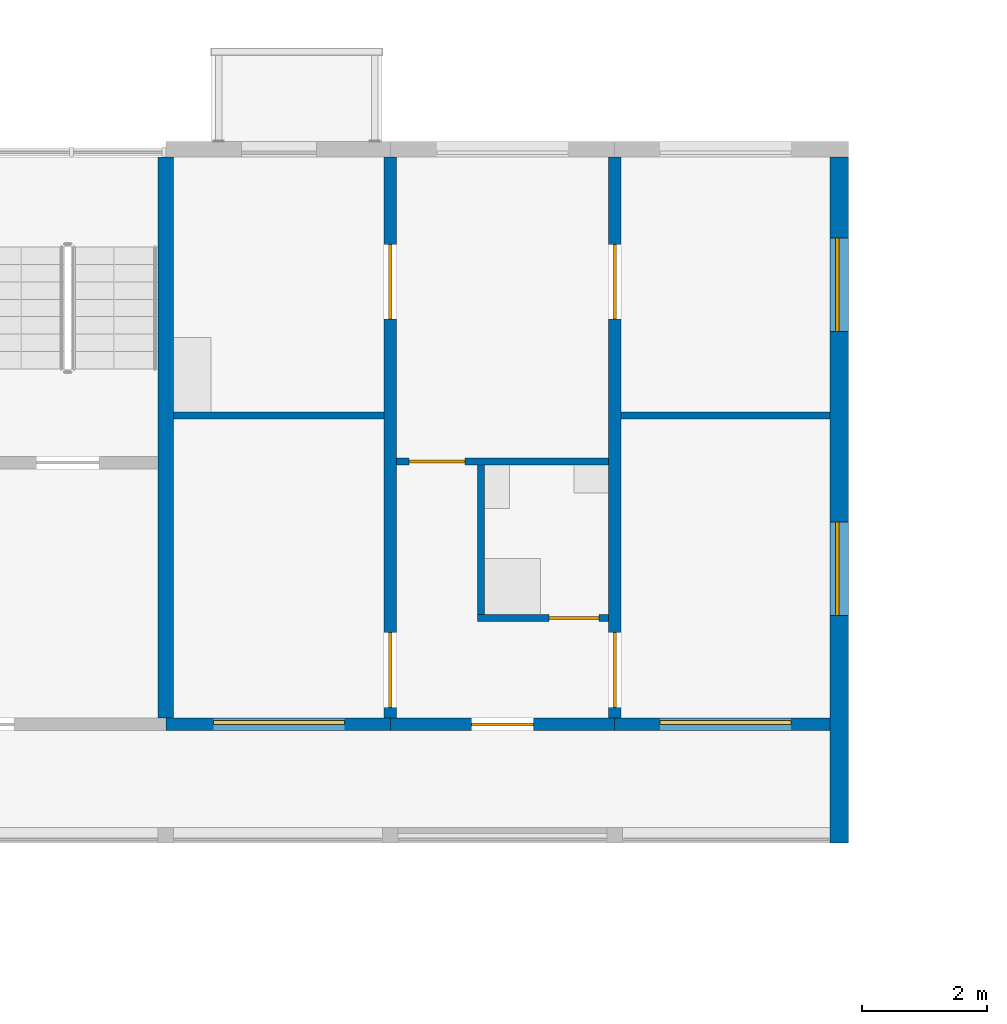
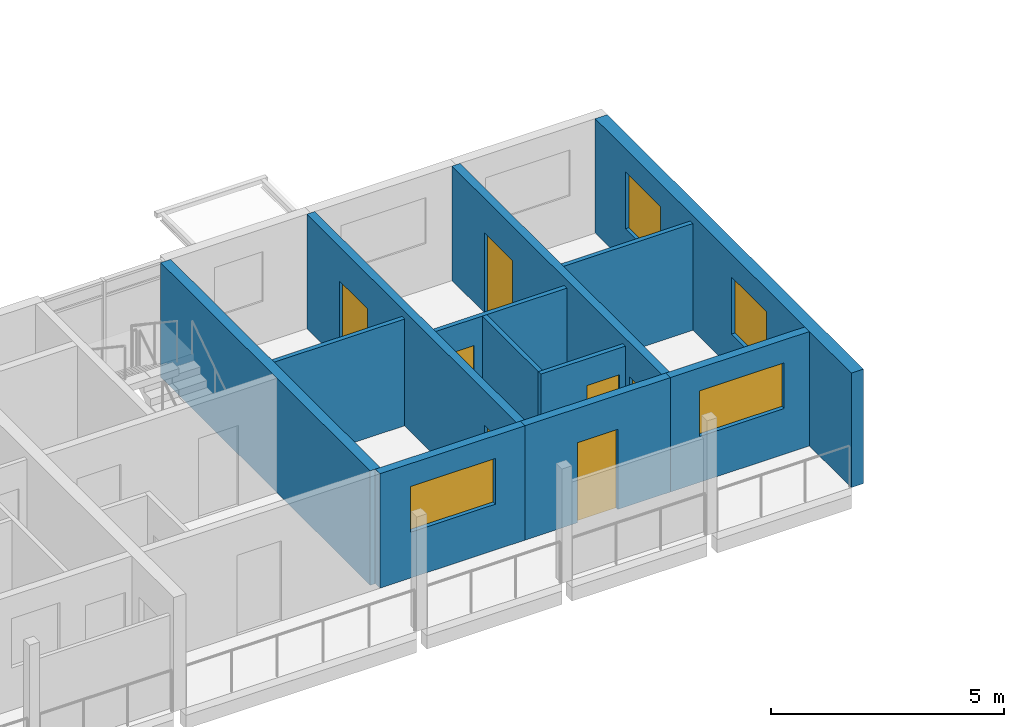
# One storey, part 43 of 98: 12 walls, 7 doors, 4 windows, 11 openings.
"""IFC4 building model written with IfcOpenShell, lengths in metres."""

from ifc_helpers import new_model, si_unit, direction, frame, frame_2d, origin, place, context, subcontext, project, spatial, rectangle, extrude, material, layer, layer_set, type_object, element, fill, save


model = new_model("IFC4")

# Units and contexts
model_context = context("Model", 3, precision=1e-05, world=origin(), true_north=direction((0.0, 1.0)))
body_context = subcontext(model_context, "Body", "Model", "MODEL_VIEW")
ifc_project = project(units=[si_unit("LENGTHUNIT", "METRE"), si_unit("AREAUNIT", "SQUARE_METRE"), si_unit("VOLUMEUNIT", "CUBIC_METRE"), si_unit("PLANEANGLEUNIT", "RADIAN"), si_unit("MASSUNIT", "GRAM", prefix="KILO")], contexts=[model_context])

# Site, building, storey
site_placement = place(None, origin())
site = spatial("IfcSite", under=ifc_project, at=site_placement, CompositionType="ELEMENT")
building_placement = place(site_placement, origin())
building = spatial("IfcBuilding", under=site, at=building_placement, Name="Ridgestep Commons", CompositionType="ELEMENT")
storey_placement = place(building_placement, frame((0.0, 0.0, 12.0)))
storey = spatial("IfcBuildingStorey", under=building, at=storey_placement, Name="L04", CompositionType="ELEMENT", Elevation=12.0)

# Wall
ifc_material_1 = material(Name="Concrete C30/37", Category="concrete")
ifc_layer_1 = layer(ifc_material_1, 0.25)
ifc_layer_set_1 = layer_set([ifc_layer_1], Name="Core cross wall 250")
wall_type_1 = type_object("IfcWallType", Name="Core cross wall 250", PredefinedType="SHEAR", material=ifc_layer_set_1)
wall_1_placement = place(storey_placement, frame((102.0, 68.0, 0.0), z_axis=(0.0, 0.0, 1.0), x_axis=(0.0, 1.0, 0.0)))
element("IfcWall", 1, at=wall_1_placement, inside=storey, type_object=wall_type_1, Name="Cross wall B-04-1020", PredefinedType="SHEAR", context=body_context, shape_type="SweptSolid", body=[
    extrude(rectangle(XDim=9.0, YDim=0.25, at=frame_2d((4.5, 0.0))), origin(), (0.0, 0.0, 1.0), 3.0),
])

# Wall, openings, doors
ifc_material_2 = material(Name="Precast concrete C40/50", Category="concrete")
ifc_layer_2 = layer(ifc_material_2, 0.199951171875)
ifc_layer_set_2 = layer_set([ifc_layer_2], Name="Cross wall 200")
wall_type_2 = type_object("IfcWallType", Name="Cross wall 200", PredefinedType="SHEAR", material=ifc_layer_set_2)
wall_2_placement = place(storey_placement, frame((105.60009765625, 68.0, 0.0), z_axis=(0.0, 0.0, 1.0), x_axis=(0.0, 1.0, 0.0)))
wall_2 = element("IfcWall", 2, at=wall_2_placement, inside=storey, type_object=wall_type_2, Name="Cross wall B-04-1056", PredefinedType="SHEAR", context=body_context, shape_type="SweptSolid", body=[
    extrude(rectangle(XDim=9.0, YDim=0.199951171875, at=frame_2d((4.5, 0.0))), origin(), (0.0, 0.0, 1.0), 3.0),
])
opening_1_placement = place(wall_2_placement, frame((0.175048828125, 0.0, 0.0)))
opening_1 = element("IfcOpeningElement", 3, at=opening_1_placement, cuts=wall_2, Name="Opening B6-04a/4", PredefinedType="OPENING", context=body_context, shape_type="SweptSolid", body=[
    extrude(rectangle(XDim=1.199951171875, YDim=2.10009765625, at=frame_2d((0.60009765625, 1.050048828125))), frame((0.0, 0.10986328125, 0.0), z_axis=(0.0, -1.0, 0.0), x_axis=(1.0, 0.0, 0.0)), (0.0, 0.0, 1.0), 0.219970703125),
])
opening_2_placement = place(wall_2_placement, frame((6.39990234375, 0.0, 0.0)))
opening_2 = element("IfcOpeningElement", 4, at=opening_2_placement, cuts=wall_2, Name="Opening B6-04a/5", PredefinedType="OPENING", context=body_context, shape_type="SweptSolid", body=[
    extrude(rectangle(XDim=1.199951171875, YDim=2.10009765625, at=frame_2d((0.60009765625, 1.050048828125))), frame((0.0, 0.10986328125, 0.0), z_axis=(0.0, -1.0, 0.0), x_axis=(1.0, 0.0, 0.0)), (0.0, 0.0, 1.0), 0.219970703125),
])
ifc_material_3 = material(Name="Timber door leaf", Category="wood")
door_type_1 = type_object("IfcDoorType", Name="Double door 1200 x 2100", OperationType="DOUBLE_DOOR_SINGLE_SWING", PredefinedType="DOOR", material=ifc_material_3)
door_1_placement = place(opening_1_placement, origin())
door_1 = element("IfcDoor", 5, at=door_1_placement, inside=storey, type_object=door_type_1, Name="Double door B6-04a/4", OperationType="DOUBLE_DOOR_SINGLE_SWING", OverallHeight=2.10009765625, OverallWidth=1.199951171875, PredefinedType="DOOR", context=body_context, shape_type="SweptSolid", body=[
    extrude(rectangle(XDim=1.199951171875, YDim=2.10009765625, at=frame_2d((0.60009765625, 1.050048828125))), frame((0.0, 0.02490234375, 0.0), z_axis=(0.0, -1.0, 0.0), x_axis=(1.0, 0.0, 0.0)), (0.0, 0.0, 1.0), 0.050048828125),
])
fill(opening_1, door_1)
door_2_placement = place(opening_2_placement, origin())
door_2 = element("IfcDoor", 6, at=door_2_placement, inside=storey, type_object=door_type_1, Name="Double door B6-04a/5", OperationType="DOUBLE_DOOR_SINGLE_SWING", OverallHeight=2.10009765625, OverallWidth=1.199951171875, PredefinedType="DOOR", context=body_context, shape_type="SweptSolid", body=[
    extrude(rectangle(XDim=1.199951171875, YDim=2.10009765625, at=frame_2d((0.60009765625, 1.050048828125))), frame((0.0, 0.02490234375, 0.0), z_axis=(0.0, -1.0, 0.0), x_axis=(1.0, 0.0, 0.0)), (0.0, 0.0, 1.0), 0.050048828125),
])
fill(opening_2, door_2)

wall_3_placement = place(storey_placement, frame((109.199951171875, 68.0, 0.0), z_axis=(0.0, 0.0, 1.0), x_axis=(0.0, 1.0, 0.0)))
wall_3 = element("IfcWall", 7, at=wall_3_placement, inside=storey, type_object=wall_type_2, Name="Cross wall B-04-1092", PredefinedType="SHEAR", context=body_context, shape_type="SweptSolid", body=[
    extrude(rectangle(XDim=9.0, YDim=0.199951171875, at=frame_2d((4.5, 0.0))), origin(), (0.0, 0.0, 1.0), 3.0),
])
opening_3_placement = place(wall_3_placement, frame((0.175048828125, 0.0, 0.0)))
opening_3 = element("IfcOpeningElement", 8, at=opening_3_placement, cuts=wall_3, Name="Opening B6-04a/6", PredefinedType="OPENING", context=body_context, shape_type="SweptSolid", body=[
    extrude(rectangle(XDim=1.199951171875, YDim=2.10009765625, at=frame_2d((0.60009765625, 1.050048828125))), frame((0.0, 0.10986328125, 0.0), z_axis=(0.0, -1.0, 0.0), x_axis=(1.0, 0.0, 0.0)), (0.0, 0.0, 1.0), 0.219970703125),
])
opening_4_placement = place(wall_3_placement, frame((6.39990234375, 0.0, 0.0)))
opening_4 = element("IfcOpeningElement", 9, at=opening_4_placement, cuts=wall_3, Name="Opening B6-04a/7", PredefinedType="OPENING", context=body_context, shape_type="SweptSolid", body=[
    extrude(rectangle(XDim=1.199951171875, YDim=2.10009765625, at=frame_2d((0.60009765625, 1.050048828125))), frame((0.0, 0.10986328125, 0.0), z_axis=(0.0, -1.0, 0.0), x_axis=(1.0, 0.0, 0.0)), (0.0, 0.0, 1.0), 0.219970703125),
])
door_3_placement = place(opening_3_placement, origin())
door_3 = element("IfcDoor", 10, at=door_3_placement, inside=storey, type_object=door_type_1, Name="Double door B6-04a/6", OperationType="DOUBLE_DOOR_SINGLE_SWING", OverallHeight=2.10009765625, OverallWidth=1.199951171875, PredefinedType="DOOR", context=body_context, shape_type="SweptSolid", body=[
    extrude(rectangle(XDim=1.199951171875, YDim=2.10009765625, at=frame_2d((0.60009765625, 1.050048828125))), frame((0.0, 0.02490234375, 0.0), z_axis=(0.0, -1.0, 0.0), x_axis=(1.0, 0.0, 0.0)), (0.0, 0.0, 1.0), 0.050048828125),
])
fill(opening_3, door_3)
door_4_placement = place(opening_4_placement, origin())
door_4 = element("IfcDoor", 11, at=door_4_placement, inside=storey, type_object=door_type_1, Name="Double door B6-04a/7", OperationType="DOUBLE_DOOR_SINGLE_SWING", OverallHeight=2.10009765625, OverallWidth=1.199951171875, PredefinedType="DOOR", context=body_context, shape_type="SweptSolid", body=[
    extrude(rectangle(XDim=1.199951171875, YDim=2.10009765625, at=frame_2d((0.60009765625, 1.050048828125))), frame((0.0, 0.02490234375, 0.0), z_axis=(0.0, -1.0, 0.0), x_axis=(1.0, 0.0, 0.0)), (0.0, 0.0, 1.0), 0.050048828125),
])
fill(opening_4, door_4)

# Wall, openings, windows
ifc_material_4 = material(Name="Precast concrete C40/50", Category="concrete")
ifc_layer_3 = layer(ifc_material_4, 0.300048828125)
ifc_layer_set_3 = layer_set([ifc_layer_3], Name="Exposed division wall 300")
wall_type_3 = type_object("IfcWallType", Name="Exposed division wall 300", PredefinedType="SHEAR", material=ifc_layer_set_3)
wall_4_placement = place(storey_placement, frame((112.800048828125, 66.0, 0.0), z_axis=(0.0, 0.0, 1.0), x_axis=(0.0, 1.0, 0.0)))
wall_4 = element("IfcWall", 12, at=wall_4_placement, inside=storey, type_object=wall_type_3, Name="Cross wall B-04-1128", PredefinedType="SHEAR", context=body_context, shape_type="SweptSolid", body=[
    extrude(rectangle(XDim=11.0, YDim=0.300048828125, at=frame_2d((5.5, 0.0))), origin(), (0.0, 0.0, 1.0), 3.0),
])
opening_5_placement = place(wall_4_placement, frame((3.64990234375, 0.0, 0.89990234375)))
opening_5 = element("IfcOpeningElement", 13, at=opening_5_placement, cuts=wall_4, Name="Opening W16", PredefinedType="OPENING", context=body_context, shape_type="SweptSolid", body=[
    extrude(rectangle(XDim=1.5, YDim=1.5, at=frame_2d((0.75, 0.75))), frame((0.0, 0.159912109375, 0.0), z_axis=(0.0, -1.0, 0.0), x_axis=(1.0, 0.0, 0.0)), (0.0, 0.0, 1.0), 0.320068359375),
])
opening_6_placement = place(wall_4_placement, frame((8.205078125, 0.0, 0.89990234375)))
opening_6 = element("IfcOpeningElement", 14, at=opening_6_placement, cuts=wall_4, Name="Opening W16", PredefinedType="OPENING", context=body_context, shape_type="SweptSolid", body=[
    extrude(rectangle(XDim=1.5, YDim=1.5, at=frame_2d((0.75, 0.75))), frame((0.0, 0.159912109375, 0.0), z_axis=(0.0, -1.0, 0.0), x_axis=(1.0, 0.0, 0.0)), (0.0, 0.0, 1.0), 0.320068359375),
])
ifc_material_5 = material(Name="Aluminium 6063-T6 and glass", Category="aluminium")
window_type_1 = type_object("IfcWindowType", Name="Flat window 1500 x 1500", PartitioningType="DOUBLE_PANEL_VERTICAL", PredefinedType="WINDOW", material=ifc_material_5)
window_1_placement = place(opening_5_placement, origin())
window_1 = element("IfcWindow", 15, at=window_1_placement, inside=storey, type_object=window_type_1, Name="Window B6-04a 6", OverallHeight=1.5, OverallWidth=1.5, PartitioningType="SINGLE_PANEL", PredefinedType="WINDOW", context=body_context, shape_type="SweptSolid", body=[
    extrude(rectangle(XDim=1.5, YDim=1.5, at=frame_2d((0.75, 0.75))), frame((0.0, 0.06005859375, 0.0), z_axis=(0.0, -1.0, 0.0), x_axis=(1.0, 0.0, 0.0)), (0.0, 0.0, 1.0), 0.06005859375),
])
fill(opening_5, window_1)
window_2_placement = place(opening_6_placement, origin())
window_2 = element("IfcWindow", 16, at=window_2_placement, inside=storey, type_object=window_type_1, Name="Window B6-04a 7", OverallHeight=1.5, OverallWidth=1.5, PartitioningType="SINGLE_PANEL", PredefinedType="WINDOW", context=body_context, shape_type="SweptSolid", body=[
    extrude(rectangle(XDim=1.5, YDim=1.5, at=frame_2d((0.75, 0.75))), frame((0.0, 0.06005859375, 0.0), z_axis=(0.0, -1.0, 0.0), x_axis=(1.0, 0.0, 0.0)), (0.0, 0.0, 1.0), 0.06005859375),
])
fill(opening_6, window_2)

# Wall, opening, door
ifc_material_6 = material(Name="Common brick 110 mm", Category="masonry")
ifc_layer_4 = layer(ifc_material_6, 0.110107421875)
ifc_layer_set_4 = layer_set([ifc_layer_4], Name="Partition 110")
wall_type_4 = type_object("IfcWallType", Name="Partition 110", PredefinedType="PARTITIONING", material=ifc_layer_set_4)
wall_5_placement = place(storey_placement, frame((107.0, 69.60498046875, 0.0), z_axis=(0.0, 0.0, 1.0), x_axis=(1.0, 0.0, 0.0)))
wall_5 = element("IfcWall", 17, at=wall_5_placement, inside=storey, type_object=wall_type_4, Name="Partition B6-04a", PredefinedType="PARTITIONING", context=body_context, shape_type="SweptSolid", body=[
    extrude(rectangle(XDim=2.10009765625, YDim=0.110107421875, at=frame_2d((1.050048828125, 0.0))), origin(), (0.0, 0.0, 1.0), 2.800048828125),
])
opening_7_placement = place(wall_5_placement, frame((1.14990234375, 0.0, 0.0)))
opening_7 = element("IfcOpeningElement", 18, at=opening_7_placement, cuts=wall_5, Name="Opening B6-04a/2", PredefinedType="OPENING", context=body_context, shape_type="SweptSolid", body=[
    extrude(rectangle(XDim=0.800048828125, YDim=2.10009765625, at=frame_2d((0.39990234375, 1.050048828125))), frame((0.0, 0.06494140625, 0.0), z_axis=(0.0, -1.0, 0.0), x_axis=(1.0, 0.0, 0.0)), (0.0, 0.0, 1.0), 0.130126953125),
])
ifc_material_7 = material(Name="Timber door leaf", Category="wood")
door_type_2 = type_object("IfcDoorType", Name="Internal door 800 x 2100", OperationType="NOTDEFINED", PredefinedType="DOOR", material=ifc_material_7)
door_5_placement = place(opening_7_placement, origin())
door_5 = element("IfcDoor", 19, at=door_5_placement, inside=storey, type_object=door_type_2, Name="Internal door B6-04a/2", OperationType="SINGLE_SWING_RIGHT", OverallHeight=2.10009765625, OverallWidth=0.800048828125, PredefinedType="DOOR", context=body_context, shape_type="SweptSolid", body=[
    extrude(rectangle(XDim=0.800048828125, YDim=2.10009765625, at=frame_2d((0.39990234375, 1.050048828125))), frame((0.0, 0.02490234375, 0.0), z_axis=(0.0, -1.0, 0.0), x_axis=(1.0, 0.0, 0.0)), (0.0, 0.0, 1.0), 0.050048828125),
])
fill(opening_7, door_5)

# Wall
wall_6_placement = place(storey_placement, frame((107.054931640625, 69.659912109375, 0.0), z_axis=(0.0, 0.0, 1.0), x_axis=(0.0, 1.0, 0.0)))
element("IfcWall", 20, at=wall_6_placement, inside=storey, type_object=wall_type_4, Name="Partition B6-04a", PredefinedType="PARTITIONING", context=body_context, shape_type="SweptSolid", body=[
    extrude(rectangle(XDim=2.400146484375, YDim=0.110107421875, at=frame_2d((1.2001953125, 0.0))), origin(), (0.0, 0.0, 1.0), 2.800048828125),
])

# Wall, opening, door
wall_7_placement = place(storey_placement, frame((105.699951171875, 72.114990234375, 0.0), z_axis=(0.0, 0.0, 1.0), x_axis=(1.0, 0.0, 0.0)))
wall_7 = element("IfcWall", 21, at=wall_7_placement, inside=storey, type_object=wall_type_4, Name="Partition B6-04a", PredefinedType="PARTITIONING", context=body_context, shape_type="SweptSolid", body=[
    extrude(rectangle(XDim=3.400146484375, YDim=0.110107421875, at=frame_2d((1.7001953125, 0.0))), origin(), (0.0, 0.0, 1.0), 2.800048828125),
])
opening_8_placement = place(wall_7_placement, frame((0.199951171875, 0.0, 0.0)))
opening_8 = element("IfcOpeningElement", 22, at=opening_8_placement, cuts=wall_7, Name="Opening B6-04a/3", PredefinedType="OPENING", context=body_context, shape_type="SweptSolid", body=[
    extrude(rectangle(XDim=0.89990234375, YDim=2.10009765625, at=frame_2d((0.449951171875, 1.050048828125))), frame((0.0, 0.06494140625, 0.0), z_axis=(0.0, -1.0, 0.0), x_axis=(1.0, 0.0, 0.0)), (0.0, 0.0, 1.0), 0.130126953125),
])
ifc_material_8 = material(Name="Timber door leaf", Category="wood")
door_type_3 = type_object("IfcDoorType", Name="Internal door 900 x 2100", OperationType="NOTDEFINED", PredefinedType="DOOR", material=ifc_material_8)
door_6_placement = place(opening_8_placement, origin())
door_6 = element("IfcDoor", 23, at=door_6_placement, inside=storey, type_object=door_type_3, Name="Internal door B6-04a/3", OperationType="SINGLE_SWING_RIGHT", OverallHeight=2.10009765625, OverallWidth=0.89990234375, PredefinedType="DOOR", context=body_context, shape_type="SweptSolid", body=[
    extrude(rectangle(XDim=0.89990234375, YDim=2.10009765625, at=frame_2d((0.449951171875, 1.050048828125))), frame((0.0, 0.02490234375, 0.0), z_axis=(0.0, -1.0, 0.0), x_axis=(1.0, 0.0, 0.0)), (0.0, 0.0, 1.0), 0.050048828125),
])
fill(opening_8, door_6)

# Walls
wall_8_placement = place(storey_placement, frame((102.125, 72.85498046875, 0.0), z_axis=(0.0, 0.0, 1.0), x_axis=(1.0, 0.0, 0.0)))
element("IfcWall", 24, at=wall_8_placement, inside=storey, type_object=wall_type_4, Name="Partition B6-04a", PredefinedType="PARTITIONING", context=body_context, shape_type="SweptSolid", body=[
    extrude(rectangle(XDim=3.375, YDim=0.110107421875, at=frame_2d((1.6875, 0.0))), origin(), (0.0, 0.0, 1.0), 2.800048828125),
])
wall_9_placement = place(storey_placement, frame((109.300048828125, 72.85498046875, 0.0), z_axis=(0.0, 0.0, 1.0), x_axis=(1.0, 0.0, 0.0)))
element("IfcWall", 25, at=wall_9_placement, inside=storey, type_object=wall_type_4, Name="Partition B6-04a", PredefinedType="PARTITIONING", context=body_context, shape_type="SweptSolid", body=[
    extrude(rectangle(XDim=3.349853515625, YDim=0.110107421875, at=frame_2d((1.6748046875, 0.0))), origin(), (0.0, 0.0, 1.0), 2.800048828125),
])

# Wall, opening, window
ifc_material_9 = material(Name="Precast concrete C40/50", Category="concrete")
ifc_layer_5 = layer(ifc_material_9, 0.199951171875)
ifc_layer_set_5 = layer_set([ifc_layer_5], Name="South facade panel 200")
wall_type_5 = type_object("IfcWallType", Name="South facade panel 200", PredefinedType="SOLIDWALL", material=ifc_layer_set_5)
wall_10_placement = place(storey_placement, frame((102.0, 67.89990234375, 0.0), z_axis=(0.0, 0.0, 1.0), x_axis=(1.0, 0.0, 0.0)))
wall_10 = element("IfcWall", 26, at=wall_10_placement, inside=storey, type_object=wall_type_5, Name="South panel B6T3 L04", PredefinedType="SOLIDWALL", context=body_context, shape_type="SweptSolid", body=[
    extrude(rectangle(XDim=3.60009765625, YDim=0.199951171875, at=frame_2d((1.800048828125, 0.0))), origin(), (0.0, 0.0, 1.0), 3.0),
])
opening_9_placement = place(wall_10_placement, frame((0.762451171875, 0.0, 1.199951171875)))
opening_9 = element("IfcOpeningElement", 27, at=opening_9_placement, cuts=wall_10, Name="Opening W22", PredefinedType="OPENING", context=body_context, shape_type="SweptSolid", body=[
    extrude(rectangle(XDim=2.10009765625, YDim=1.199951171875, at=frame_2d((1.050048828125, 0.60009765625))), frame((0.0, 0.10986328125, 0.0), z_axis=(0.0, -1.0, 0.0), x_axis=(1.0, 0.0, 0.0)), (0.0, 0.0, 1.0), 0.219970703125),
])
ifc_material_10 = material(Name="Aluminium 6063-T6 and glass", Category="aluminium")
window_type_2 = type_object("IfcWindowType", Name="Flat window 2100 x 1200", PartitioningType="DOUBLE_PANEL_VERTICAL", PredefinedType="WINDOW", material=ifc_material_10)
window_3_placement = place(opening_9_placement, origin())
window_3 = element("IfcWindow", 28, at=window_3_placement, inside=storey, type_object=window_type_2, Name="Window B6-04a 1", OverallHeight=1.199951171875, OverallWidth=2.10009765625, PartitioningType="SINGLE_PANEL", PredefinedType="WINDOW", context=body_context, shape_type="SweptSolid", body=[
    extrude(rectangle(XDim=2.10009765625, YDim=1.199951171875, at=frame_2d((1.050048828125, 0.60009765625))), frame((0.0, 0.06005859375, 0.0), z_axis=(0.0, -1.0, 0.0), x_axis=(1.0, 0.0, 0.0)), (0.0, 0.0, 1.0), 0.06005859375),
])
fill(opening_9, window_3)

# Wall, opening, door
wall_11_placement = place(storey_placement, frame((105.60009765625, 67.89990234375, 0.0), z_axis=(0.0, 0.0, 1.0), x_axis=(1.0, 0.0, 0.0)))
wall_11 = element("IfcWall", 29, at=wall_11_placement, inside=storey, type_object=wall_type_5, Name="South panel B6T2 L04", PredefinedType="SOLIDWALL", context=body_context, shape_type="SweptSolid", body=[
    extrude(rectangle(XDim=3.599853515625, YDim=0.199951171875, at=frame_2d((1.7998046875, 0.0))), origin(), (0.0, 0.0, 1.0), 3.0),
])
opening_10_placement = place(wall_11_placement, frame((1.300048828125, 0.0, 0.0)))
opening_10 = element("IfcOpeningElement", 30, at=opening_10_placement, cuts=wall_11, Name="Opening B6-04a/1", PredefinedType="OPENING", context=body_context, shape_type="SweptSolid", body=[
    extrude(rectangle(XDim=1.0, YDim=2.10009765625, at=frame_2d((0.5, 1.050048828125))), frame((0.0, 0.10986328125, 0.0), z_axis=(0.0, -1.0, 0.0), x_axis=(1.0, 0.0, 0.0)), (0.0, 0.0, 1.0), 0.219970703125),
])
ifc_material_11 = material(Name="Timber door leaf", Category="wood")
door_type_4 = type_object("IfcDoorType", Name="Flat entrance door 1000 x 2100 FD30S", OperationType="NOTDEFINED", PredefinedType="DOOR", material=ifc_material_11)
door_7_placement = place(opening_10_placement, origin())
door_7 = element("IfcDoor", 31, at=door_7_placement, inside=storey, type_object=door_type_4, Name="Flat entrance door B6-04a/1", OperationType="SINGLE_SWING_LEFT", OverallHeight=2.10009765625, OverallWidth=1.0, PredefinedType="DOOR", context=body_context, shape_type="SweptSolid", body=[
    extrude(rectangle(XDim=1.0, YDim=2.10009765625, at=frame_2d((0.5, 1.050048828125))), frame((0.0, 0.02490234375, 0.0), z_axis=(0.0, -1.0, 0.0), x_axis=(1.0, 0.0, 0.0)), (0.0, 0.0, 1.0), 0.050048828125),
])
fill(opening_10, door_7)

# Wall, opening, window
wall_12_placement = place(storey_placement, frame((109.199951171875, 67.89990234375, 0.0), z_axis=(0.0, 0.0, 1.0), x_axis=(1.0, 0.0, 0.0)))
wall_12 = element("IfcWall", 32, at=wall_12_placement, inside=storey, type_object=wall_type_5, Name="South panel B6T1 L04", PredefinedType="SOLIDWALL", context=body_context, shape_type="SweptSolid", body=[
    extrude(rectangle(XDim=3.449951171875, YDim=0.199951171875, at=frame_2d((1.72509765625, 0.0))), origin(), (0.0, 0.0, 1.0), 3.0),
])
opening_11_placement = place(wall_12_placement, frame((0.72509765625, 0.0, 1.199951171875)))
opening_11 = element("IfcOpeningElement", 33, at=opening_11_placement, cuts=wall_12, Name="Opening W22", PredefinedType="OPENING", context=body_context, shape_type="SweptSolid", body=[
    extrude(rectangle(XDim=2.10009765625, YDim=1.199951171875, at=frame_2d((1.050048828125, 0.60009765625))), frame((0.0, 0.10986328125, 0.0), z_axis=(0.0, -1.0, 0.0), x_axis=(1.0, 0.0, 0.0)), (0.0, 0.0, 1.0), 0.219970703125),
])
window_4_placement = place(opening_11_placement, origin())
window_4 = element("IfcWindow", 34, at=window_4_placement, inside=storey, type_object=window_type_2, Name="Window B6-04a 3", OverallHeight=1.199951171875, OverallWidth=2.10009765625, PartitioningType="SINGLE_PANEL", PredefinedType="WINDOW", context=body_context, shape_type="SweptSolid", body=[
    extrude(rectangle(XDim=2.10009765625, YDim=1.199951171875, at=frame_2d((1.050048828125, 0.60009765625))), frame((0.0, 0.06005859375, 0.0), z_axis=(0.0, -1.0, 0.0), x_axis=(1.0, 0.0, 0.0)), (0.0, 0.0, 1.0), 0.06005859375),
])
fill(opening_11, window_4)

save(model, "model.ifc")
